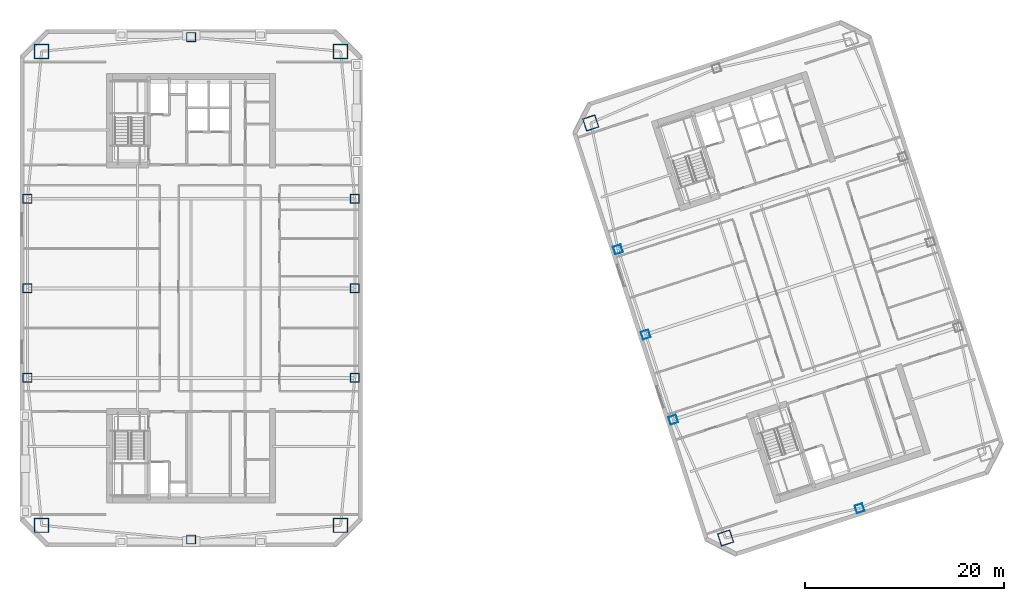
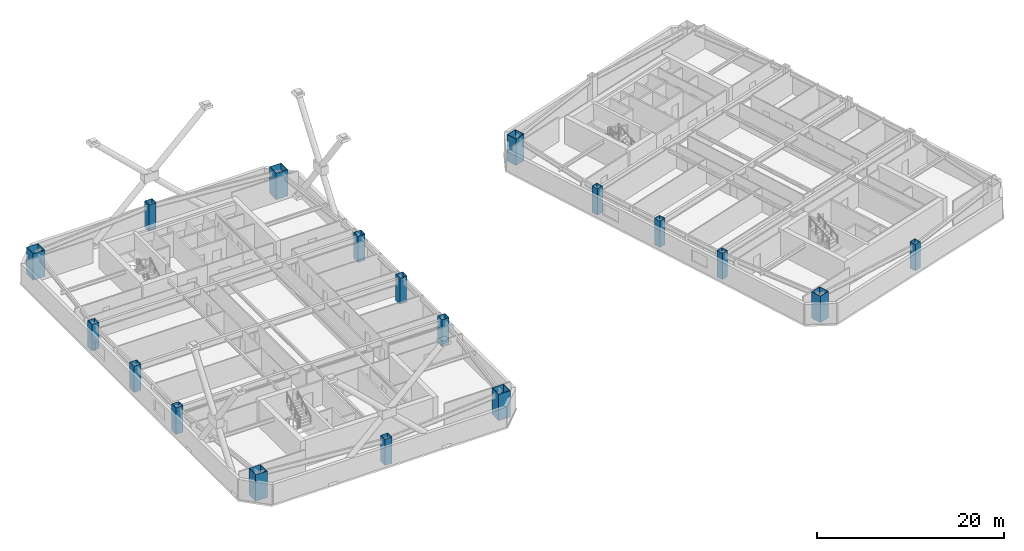
# One storey, part 1 of 14: 18 columns.
"""IFC4 building model written with IfcOpenShell, lengths in metres."""

from ifc_helpers import new_model, si_unit, direction, frame, origin, origin_2d, place, context, subcontext, project, spatial, hollow_rectangle, extrude, material, material_profile, profile_set, type_object, element, save


model = new_model("IFC4")

# Units and contexts
model_context = context("Model", 3, precision=1e-05, world=origin(), true_north=direction((0.0, 1.0)))
body_context = subcontext(model_context, "Body", "Model", "MODEL_VIEW")
ifc_project = project(units=[si_unit("LENGTHUNIT", "METRE"), si_unit("AREAUNIT", "SQUARE_METRE"), si_unit("VOLUMEUNIT", "CUBIC_METRE"), si_unit("PLANEANGLEUNIT", "RADIAN"), si_unit("MASSUNIT", "GRAM", prefix="KILO")], contexts=[model_context])

# Site, building, storey
site_placement = place(None, origin())
site = spatial("IfcSite", under=ifc_project, at=site_placement, CompositionType="ELEMENT")
building_placement = place(site_placement, origin())
building = spatial("IfcBuilding", under=site, at=building_placement, Name="Qiaolan Cultural Towers", CompositionType="ELEMENT")
storey_placement = place(building_placement, frame((0.0, 0.0, 159.85009765625)))
storey = spatial("IfcBuildingStorey", under=building, at=storey_placement, Name="L42", CompositionType="ELEMENT", Elevation=159.85009765625)

# Columns
ifc_material_1 = material(Name="Steel Q390GJB", Category="steel")
ifc_material_profile_1 = material_profile(ifc_material_1, hollow_rectangle(XDim=1.300048828125, YDim=1.300048828125, WallThickness=0.044921875, at=origin_2d()), Name="BOX1300x1300x45")
ifc_profile_set_1 = profile_set([ifc_material_profile_1], Name="Steel Q390GJB")
column_type_1 = type_object("IfcColumnType", Name="COL-BOX1300x1300x45", PredefinedType="COLUMN", material=ifc_profile_set_1)
for number, where, z_axis, x_axis, name in (
    (1, (83.71875, 8.900634765625, 0.0), (0.0, 0.0, 1.0), (0.951056516295, 0.309016994375, 0.0), "L42 T2 Perimeter Column MC-SW"),
    (2, (70.165283203125, 50.61376953125, 0.0), (0.0, 0.0, 1.0), (0.951056516295, 0.309016994375, 0.0), "L42 T2 Perimeter Column MC-NW"),
):
    element("IfcColumn", number, at=place(storey_placement, frame(where, z_axis=z_axis, x_axis=x_axis)), inside=storey, type_object=column_type_1, Name=name, PredefinedType="COLUMN", context=body_context, shape_type="SweptSolid", body=[
        extrude(hollow_rectangle(XDim=1.300048828125, YDim=1.300048828125, WallThickness=0.044921875, at=origin_2d()), origin(), (0.0, 0.0, 1.0), 3.450927734375),
    ])
ifc_material_2 = material(Name="Steel Q420GJB", Category="steel")
ifc_material_profile_2 = material_profile(ifc_material_2, hollow_rectangle(XDim=1.449951171875, YDim=1.449951171875, WallThickness=0.050048828125, at=origin_2d()), Name="BOX1450x1450x50")
ifc_profile_set_2 = profile_set([ifc_material_profile_2], Name="Steel Q420GJB")
column_type_2 = type_object("IfcColumnType", Name="COL-BOX1450x1450x50", PredefinedType="COLUMN", material=ifc_profile_set_2)
for number, where, z_axis, x_axis, name in (
    (3, (14.97998046875, 10.179931640625, 0.0), (0.0, 0.0, 1.0), (1.0, 0.0, 0.0), "L42 T1 Perimeter Column MC-SW"),
    (4, (45.02001953125, 10.179931640625, 0.0), (0.0, 0.0, 1.0), (1.0, 0.0, 0.0), "L42 T1 Perimeter Column MC-SE"),
    (5, (45.02001953125, 57.820068359375, 0.0), (0.0, 0.0, 1.0), (1.0, 0.0, 0.0), "L42 T1 Perimeter Column MC-NE"),
    (6, (14.97998046875, 57.820068359375, 0.0), (0.0, 0.0, 1.0), (1.0, 0.0, 0.0), "L42 T1 Perimeter Column MC-NW"),
):
    element("IfcColumn", number, at=place(storey_placement, frame(where, z_axis=z_axis, x_axis=x_axis)), inside=storey, type_object=column_type_2, Name=name, PredefinedType="COLUMN", context=body_context, shape_type="SweptSolid", body=[
        extrude(hollow_rectangle(XDim=1.449951171875, YDim=1.449951171875, WallThickness=0.050048828125, at=origin_2d()), origin(), (0.0, 0.0, 1.0), 3.450927734375),
    ])
ifc_material_3 = material(Name="Steel Q355B", Category="steel")
ifc_material_profile_3 = material_profile(ifc_material_3, hollow_rectangle(XDim=0.800048828125, YDim=0.800048828125, WallThickness=0.028076171875, at=origin_2d()), Name="BOX800x800x28")
ifc_profile_set_3 = profile_set([ifc_material_profile_3], Name="Steel Q355B")
column_type_3 = type_object("IfcColumnType", Name="COL-BOX800x800x28", PredefinedType="COLUMN", material=ifc_profile_set_3)
for number, where, z_axis, x_axis, name in (
    (7, (78.4677734375, 20.789794921875, 0.0), (0.0, 0.0, 1.0), (0.951056516295, 0.309016994375, 0.0), "L42 T2 Perimeter Column PC-W1"),
    (8, (75.6865234375, 29.349365234375, 0.0), (0.0, 0.0, 1.0), (0.951056516295, 0.309016994375, 0.0), "L42 T2 Perimeter Column PC-W2"),
    (9, (72.905517578125, 37.90869140625, 0.0), (0.0, 0.0, 1.0), (0.951056516295, 0.309016994375, 0.0), "L42 T2 Perimeter Column PC-W3"),
    (10, (97.1845703125, 11.887939453125, 0.0), (0.0, 0.0, 1.0), (0.951056516295, 0.309016994375, 0.0), "L42 T2 Perimeter Column PC-S0"),
):
    element("IfcColumn", number, at=place(storey_placement, frame(where, z_axis=z_axis, x_axis=x_axis)), inside=storey, type_object=column_type_3, Name=name, PredefinedType="COLUMN", context=body_context, shape_type="SweptSolid", body=[
        extrude(hollow_rectangle(XDim=0.800048828125, YDim=0.800048828125, WallThickness=0.028076171875, at=origin_2d()), origin(), (0.0, 0.0, 1.0), 3.450927734375),
    ])
ifc_material_4 = material(Name="Steel Q355B", Category="steel")
ifc_material_profile_4 = material_profile(ifc_material_4, hollow_rectangle(XDim=0.89990234375, YDim=0.89990234375, WallThickness=0.031982421875, at=origin_2d()), Name="BOX900x900x32")
ifc_profile_set_4 = profile_set([ifc_material_profile_4], Name="Steel Q355B")
column_type_4 = type_object("IfcColumnType", Name="COL-BOX900x900x32", PredefinedType="COLUMN", material=ifc_profile_set_4)
for number, where, z_axis, x_axis, name in (
    (11, (13.550048828125, 25.0, 0.0), (0.0, 0.0, 1.0), (1.0, 0.0, 0.0), "L42 T1 Perimeter Column PC-W1"),
    (12, (13.550048828125, 34.0, 0.0), (0.0, 0.0, 1.0), (1.0, 0.0, 0.0), "L42 T1 Perimeter Column PC-W2"),
    (13, (13.550048828125, 43.0, 0.0), (0.0, 0.0, 1.0), (1.0, 0.0, 0.0), "L42 T1 Perimeter Column PC-W3"),
    (14, (46.449951171875, 25.0, 0.0), (0.0, 0.0, 1.0), (1.0, 0.0, 0.0), "L42 T1 Perimeter Column PC-E1"),
    (15, (46.449951171875, 34.0, 0.0), (0.0, 0.0, 1.0), (1.0, 0.0, 0.0), "L42 T1 Perimeter Column PC-E2"),
    (16, (46.449951171875, 43.0, 0.0), (0.0, 0.0, 1.0), (1.0, 0.0, 0.0), "L42 T1 Perimeter Column PC-E3"),
    (17, (30.0, 8.75, 0.0), (0.0, 0.0, 1.0), (1.0, 0.0, 0.0), "L42 T1 Perimeter Column PC-S0"),
    (18, (30.0, 59.25, 0.0), (0.0, 0.0, 1.0), (1.0, 0.0, 0.0), "L42 T1 Perimeter Column PC-N0"),
):
    element("IfcColumn", number, at=place(storey_placement, frame(where, z_axis=z_axis, x_axis=x_axis)), inside=storey, type_object=column_type_4, Name=name, PredefinedType="COLUMN", context=body_context, shape_type="SweptSolid", body=[
        extrude(hollow_rectangle(XDim=0.89990234375, YDim=0.89990234375, WallThickness=0.031982421875, at=origin_2d()), origin(), (0.0, 0.0, 1.0), 3.450927734375),
    ])

save(model, "model.ifc")
